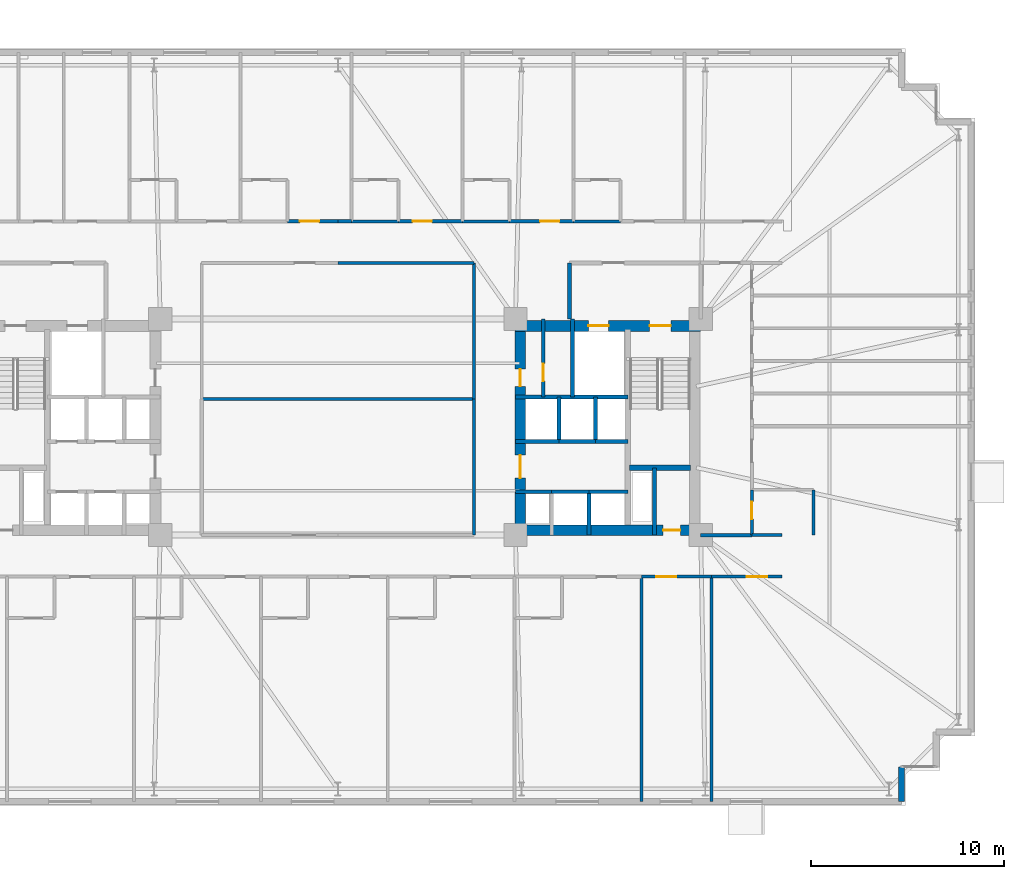
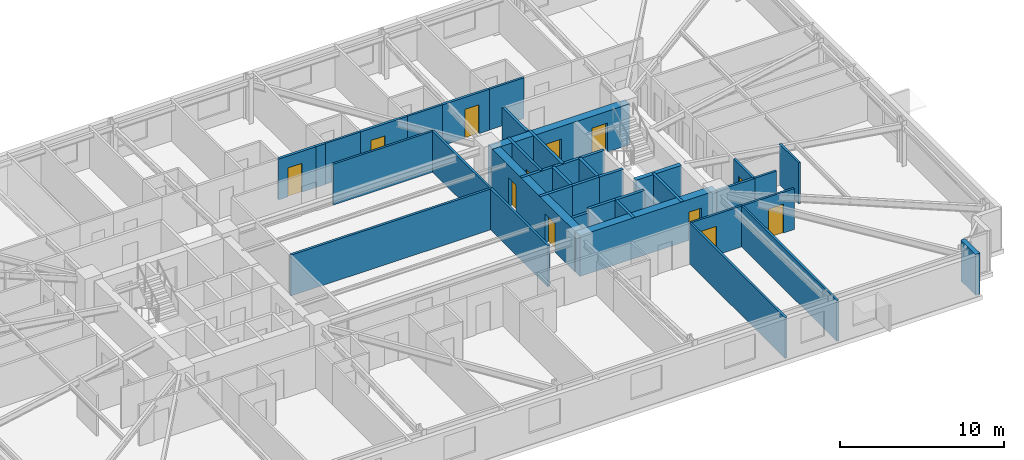
# One storey, part 17 of 22: 38 walls, 12 doors, 12 openings.
"""IFC4 building model written with IfcOpenShell, lengths in metres."""

from ifc_helpers import new_model, si_unit, direction, frame, frame_2d, origin, place, context, subcontext, project, spatial, rectangle, extrude, material, layer, layer_set, type_object, element, fill, save


model = new_model("IFC4")

# Units and contexts
model_context = context("Model", 3, precision=1e-05, world=origin(), true_north=direction((0.0, 1.0)))
body_context = subcontext(model_context, "Body", "Model", "MODEL_VIEW")
ifc_project = project(units=[si_unit("LENGTHUNIT", "METRE"), si_unit("AREAUNIT", "SQUARE_METRE"), si_unit("VOLUMEUNIT", "CUBIC_METRE"), si_unit("PLANEANGLEUNIT", "RADIAN"), si_unit("MASSUNIT", "GRAM", prefix="KILO")], contexts=[model_context])

# Site, building, storey
site_placement = place(None, origin())
site = spatial("IfcSite", under=ifc_project, at=site_placement, CompositionType="ELEMENT")
building_placement = place(site_placement, origin())
building = spatial("IfcBuilding", under=site, at=building_placement, Name="Qobustan Lattice House", CompositionType="ELEMENT")
storey_placement = place(building_placement, frame((0.0, 0.0, 53.800048828125)))
storey = spatial("IfcBuildingStorey", under=building, at=storey_placement, Name="L14", CompositionType="ELEMENT", Elevation=53.800048828125)

# Wall, openings, doors
ifc_material_1 = material(Name="Concrete C60/75", Category="concrete")
ifc_layer_1 = layer(ifc_material_1, 0.56005859375)
ifc_layer_set_1 = layer_set([ifc_layer_1], Name="Concrete C60/75")
wall_type_1 = type_object("IfcWallType", Name="WAL-CORE-600", PredefinedType="SHEAR", material=ifc_layer_set_1)
wall_1_placement = place(storey_placement, frame((9.199951171875, 5.239990234375, 0.0), z_axis=(0.0, 0.0, 1.0), x_axis=(1.0, 0.0, 0.0)))
wall_1 = element("IfcWall", 1, at=wall_1_placement, inside=storey, type_object=wall_type_1, Name="L14 split-core shear wall CE-N", PredefinedType="SHEAR", context=body_context, shape_type="SweptSolid", body=[
    extrude(rectangle(XDim=9.60009765625, YDim=0.56005859375, at=frame_2d((4.800048828125, 0.0))), origin(), (0.0, 0.0, 1.0), 3.034912109375),
])
opening_1_placement = place(wall_1_placement, frame((6.949951171875, 0.0, 0.0)))
opening_1 = element("IfcOpeningElement", 2, at=opening_1_placement, cuts=wall_1, Name="Opening SD-01", PredefinedType="OPENING", context=body_context, shape_type="SweptSolid", body=[
    extrude(rectangle(XDim=1.10009765625, YDim=2.14990234375, at=frame_2d((0.550048828125, 1.074951171875))), frame((0.0, 0.2900390625, 0.0), z_axis=(0.0, -1.0, 0.0), x_axis=(1.0, 0.0, 0.0)), (0.0, 0.0, 1.0), 0.580078125),
])
opening_2_placement = place(wall_1_placement, frame((3.77490234375, 0.0, 0.0)))
opening_2 = element("IfcOpeningElement", 3, at=opening_2_placement, cuts=wall_1, Name="Opening LD-01", PredefinedType="OPENING", context=body_context, shape_type="SweptSolid", body=[
    extrude(rectangle(XDim=1.050048828125, YDim=2.10009765625, at=frame_2d((0.52490234375, 1.050048828125))), frame((0.0, 0.2900390625, 0.0), z_axis=(0.0, -1.0, 0.0), x_axis=(1.0, 0.0, 0.0)), (0.0, 0.0, 1.0), 0.580078125),
])
ifc_material_2 = material(Name="Persian walnut timber and steel frame door", Category="steel")
door_type_1 = type_object("IfcDoorType", Name="DOR-LIFT-LD-1050x2100", OperationType="NOTDEFINED", PredefinedType="DOOR", material=ifc_material_2)
door_1_placement = place(opening_2_placement, origin())
door_1 = element("IfcDoor", 4, at=door_1_placement, inside=storey, type_object=door_type_1, Name="L14 firefighting lift FF-E landing door", OperationType="DOUBLE_DOOR_SLIDING", OverallHeight=2.10009765625, OverallWidth=1.050048828125, PredefinedType="DOOR", context=body_context, shape_type="SweptSolid", body=[
    extrude(rectangle(XDim=1.050048828125, YDim=2.10009765625, at=frame_2d((0.52490234375, 1.050048828125))), frame((0.0, 0.02490234375, 0.0), z_axis=(0.0, -1.0, 0.0), x_axis=(1.0, 0.0, 0.0)), (0.0, 0.0, 1.0), 0.050048828125),
])
fill(opening_2, door_1)
ifc_material_3 = material(Name="Persian walnut timber and steel frame door", Category="steel")
door_type_2 = type_object("IfcDoorType", Name="DOR-STAIR-FD-1100x2150", OperationType="NOTDEFINED", PredefinedType="DOOR", material=ifc_material_3)
door_2_placement = place(opening_1_placement, origin())
door_2 = element("IfcDoor", 5, at=door_2_placement, inside=storey, type_object=door_type_2, Name="L14 exit stair ST-E1 fire door", OperationType="SINGLE_SWING_LEFT", OverallHeight=2.14990234375, OverallWidth=1.10009765625, PredefinedType="DOOR", context=body_context, shape_type="SweptSolid", body=[
    extrude(rectangle(XDim=1.10009765625, YDim=2.14990234375, at=frame_2d((0.550048828125, 1.074951171875))), frame((0.0, 0.02490234375, 0.0), z_axis=(0.0, -1.0, 0.0), x_axis=(1.0, 0.0, 0.0)), (0.0, 0.0, 1.0), 0.050048828125),
])
fill(opening_1, door_2)

# Wall, opening, door
wall_2_placement = place(storey_placement, frame((9.199951171875, -5.35009765625, 0.0), z_axis=(0.0, 0.0, 1.0), x_axis=(1.0, 0.0, 0.0)))
wall_2 = element("IfcWall", 6, at=wall_2_placement, inside=storey, type_object=wall_type_1, Name="L14 split-core shear wall CE-S", PredefinedType="SHEAR", context=body_context, shape_type="SweptSolid", body=[
    extrude(rectangle(XDim=9.60009765625, YDim=0.56005859375, at=frame_2d((4.800048828125, 0.0))), origin(), (0.0, 0.0, 1.0), 3.034912109375),
])
opening_3_placement = place(wall_2_placement, frame((7.64990234375, 0.0, 0.0)))
opening_3 = element("IfcOpeningElement", 7, at=opening_3_placement, cuts=wall_2, Name="Opening RD-01", PredefinedType="OPENING", context=body_context, shape_type="SweptSolid", body=[
    extrude(rectangle(XDim=0.89990234375, YDim=2.10009765625, at=frame_2d((0.449951171875, 1.050048828125))), frame((0.0, 0.2900390625, 0.0), z_axis=(0.0, -1.0, 0.0), x_axis=(1.0, 0.0, 0.0)), (0.0, 0.0, 1.0), 0.580078125),
])
ifc_material_4 = material(Name="Persian walnut timber and steel frame door", Category="steel")
door_type_3 = type_object("IfcDoorType", Name="DOR-RISER-FD-900x2100", OperationType="NOTDEFINED", PredefinedType="DOOR", material=ifc_material_4)
door_3_placement = place(opening_3_placement, origin())
door_3 = element("IfcDoor", 8, at=door_3_placement, inside=storey, type_object=door_type_3, Name="L14 core service riser access door E", OperationType="SINGLE_SWING_LEFT", OverallHeight=2.10009765625, OverallWidth=0.89990234375, PredefinedType="DOOR", context=body_context, shape_type="SweptSolid", body=[
    extrude(rectangle(XDim=0.89990234375, YDim=2.10009765625, at=frame_2d((0.449951171875, 1.050048828125))), frame((0.0, 0.02490234375, 0.0), z_axis=(0.0, -1.0, 0.0), x_axis=(1.0, 0.0, 0.0)), (0.0, 0.0, 1.0), 0.050048828125),
])
fill(opening_3, door_3)

# Wall, openings, doors
wall_3_placement = place(storey_placement, frame((9.449951171875, -5.050048828125, 0.0), z_axis=(0.0, 0.0, 1.0), x_axis=(0.0, 1.0, 0.0)))
wall_3 = element("IfcWall", 9, at=wall_3_placement, inside=storey, type_object=wall_type_1, Name="L14 split-core shear wall CE-W", PredefinedType="SHEAR", context=body_context, shape_type="SweptSolid", body=[
    extrude(rectangle(XDim=10.10009765625, YDim=0.56005859375, at=frame_2d((5.050048828125, 0.0))), origin(), (0.0, 0.0, 1.0), 3.034912109375),
])
opening_4_placement = place(wall_3_placement, frame((7.14990234375, 0.0, 0.0)))
opening_4 = element("IfcOpeningElement", 10, at=opening_4_placement, cuts=wall_3, Name="Opening RD-01", PredefinedType="OPENING", context=body_context, shape_type="SweptSolid", body=[
    extrude(rectangle(XDim=0.89990234375, YDim=2.10009765625, at=frame_2d((0.449951171875, 1.050048828125))), frame((0.0, 0.2900390625, 0.0), z_axis=(0.0, -1.0, 0.0), x_axis=(1.0, 0.0, 0.0)), (0.0, 0.0, 1.0), 0.580078125),
])
opening_5_placement = place(wall_3_placement, frame((2.39990234375, 0.0, 0.0)))
opening_5 = element("IfcOpeningElement", 11, at=opening_5_placement, cuts=wall_3, Name="Opening FD-01", PredefinedType="OPENING", context=body_context, shape_type="SweptSolid", body=[
    extrude(rectangle(XDim=1.199951171875, YDim=2.14990234375, at=frame_2d((0.60009765625, 1.074951171875))), frame((0.0, 0.2900390625, 0.0), z_axis=(0.0, -1.0, 0.0), x_axis=(1.0, 0.0, 0.0)), (0.0, 0.0, 1.0), 0.580078125),
])
ifc_material_5 = material(Name="Persian walnut timber and steel frame door", Category="steel")
door_type_4 = type_object("IfcDoorType", Name="DOR-LOBBY-FD-1200x2150", OperationType="NOTDEFINED", PredefinedType="DOOR", material=ifc_material_5)
door_4_placement = place(opening_5_placement, origin())
door_4 = element("IfcDoor", 12, at=door_4_placement, inside=storey, type_object=door_type_4, Name="L14 East passenger lift lobby fire door", OperationType="SINGLE_SWING_RIGHT", OverallHeight=2.14990234375, OverallWidth=1.199951171875, PredefinedType="DOOR", context=body_context, shape_type="SweptSolid", body=[
    extrude(rectangle(XDim=1.199951171875, YDim=2.14990234375, at=frame_2d((0.60009765625, 1.074951171875))), frame((0.0, 0.02490234375, 0.0), z_axis=(0.0, -1.0, 0.0), x_axis=(1.0, 0.0, 0.0)), (0.0, 0.0, 1.0), 0.050048828125),
])
fill(opening_5, door_4)
door_5_placement = place(opening_4_placement, origin())
door_5 = element("IfcDoor", 13, at=door_5_placement, inside=storey, type_object=door_type_3, Name="L14 Print and mail closet fire door", OperationType="SINGLE_SWING_LEFT", OverallHeight=2.10009765625, OverallWidth=0.89990234375, PredefinedType="DOOR", context=body_context, shape_type="SweptSolid", body=[
    extrude(rectangle(XDim=0.89990234375, YDim=2.10009765625, at=frame_2d((0.449951171875, 1.050048828125))), frame((0.0, 0.02490234375, 0.0), z_axis=(0.0, -1.0, 0.0), x_axis=(1.0, 0.0, 0.0)), (0.0, 0.0, 1.0), 0.050048828125),
])
fill(opening_4, door_5)

# Walls
ifc_material_6 = material(Name="Concrete C50/60", Category="concrete")
ifc_layer_2 = layer(ifc_material_6, 0.280029296875)
ifc_layer_set_2 = layer_set([ifc_layer_2], Name="Concrete C50/60")
wall_type_2 = type_object("IfcWallType", Name="WAL-CORE-SPINE-280", PredefinedType="SHEAR", material=ifc_layer_set_2)
wall_4_placement = place(storey_placement, frame((15.10009765625, -2.110107421875, 0.0), z_axis=(0.0, 0.0, 1.0), x_axis=(1.0, 0.0, 0.0)))
element("IfcWall", 14, at=wall_4_placement, inside=storey, type_object=wall_type_2, Name="L14 split-core shear wall CE-ST", PredefinedType="SHEAR", context=body_context, shape_type="SweptSolid", body=[
    extrude(rectangle(XDim=3.179931640625, YDim=0.300048828125, at=frame_2d((1.58984375, 0.0))), origin(), (0.0, 0.0, 1.0), 3.034912109375),
])
ifc_material_7 = material(Name="Precast concrete C40/50", Category="concrete")
ifc_layer_3 = layer(ifc_material_7, 0.320068359375)
ifc_layer_set_3 = layer_set([ifc_layer_3], Name="Precast concrete C40/50")
wall_type_3 = type_object("IfcWallType", Name="WAL-EXT-STONE-320", PredefinedType="SOLIDWALL", material=ifc_layer_set_3)
wall_5_placement = place(storey_placement, frame((29.199951171875, -17.60009765625, 0.0), z_axis=(0.0, 0.0, 1.0), x_axis=(0.0, -1.0, 0.0)))
element("IfcWall", 15, at=wall_5_placement, inside=storey, type_object=wall_type_3, Name="L14 exterior limestone-clad wall 19", PredefinedType="SOLIDWALL", context=body_context, shape_type="SweptSolid", body=[
    extrude(rectangle(XDim=1.7998046875, YDim=0.320068359375, at=frame_2d((0.89990234375, 0.0))), origin(), (0.0, 0.0, 1.0), 3.034912109375),
])

# Wall, opening, door
ifc_material_8 = material(Name="Gypsum fireboard acoustic partition", Category="gypsum")
ifc_layer_4 = layer(ifc_material_8, 0.179931640625)
ifc_layer_set_4 = layer_set([ifc_layer_4], Name="Gypsum fireboard acoustic partition")
wall_type_4 = type_object("IfcWallType", Name="WAL-FIRE-180", PredefinedType="PARTITIONING", material=ifc_layer_set_4)
wall_6_placement = place(storey_placement, frame((10.64990234375, 1.550048828125, 0.0), z_axis=(0.0, 0.0, 1.0), x_axis=(0.0, 1.0, 0.0)))
wall_6 = element("IfcWall", 16, at=wall_6_placement, inside=storey, type_object=wall_type_4, Name="L14 interior partition 23", PredefinedType="PARTITIONING", context=body_context, shape_type="SweptSolid", body=[
    extrude(rectangle(XDim=4.050048828125, YDim=0.179931640625, at=frame_2d((2.02490234375, 0.0))), origin(), (0.0, 0.0, 1.0), 3.034912109375),
])
opening_6_placement = place(wall_6_placement, frame((0.828857421875, 0.0, 0.0)))
opening_6 = element("IfcOpeningElement", 17, at=opening_6_placement, cuts=wall_6, Name="Opening RD-01", PredefinedType="OPENING", context=body_context, shape_type="SweptSolid", body=[
    extrude(rectangle(XDim=0.89990234375, YDim=2.10009765625, at=frame_2d((0.449951171875, 1.050048828125))), frame((0.0, 0.099853515625, 0.0), z_axis=(0.0, -1.0, 0.0), x_axis=(1.0, 0.0, 0.0)), (0.0, 0.0, 1.0), 0.199951171875),
])
door_6_placement = place(opening_6_placement, origin())
door_6 = element("IfcDoor", 18, at=door_6_placement, inside=storey, type_object=door_type_3, Name="L14 Print and mail closet to Core utility store door", OperationType="SINGLE_SWING_RIGHT", OverallHeight=2.10009765625, OverallWidth=0.89990234375, PredefinedType="DOOR", context=body_context, shape_type="SweptSolid", body=[
    extrude(rectangle(XDim=0.89990234375, YDim=2.10009765625, at=frame_2d((0.449951171875, 1.050048828125))), frame((0.0, 0.02490234375, 0.0), z_axis=(0.0, -1.0, 0.0), x_axis=(1.0, 0.0, 0.0)), (0.0, 0.0, 1.0), 0.050048828125),
])
fill(opening_6, door_6)

wall_7_placement = place(storey_placement, frame((-2.60009765625, 10.64990234375, 0.0), z_axis=(0.0, 0.0, 1.0), x_axis=(1.0, 0.0, 0.0)))
wall_7 = element("IfcWall", 19, at=wall_7_placement, inside=storey, type_object=wall_type_4, Name="L14 interior partition 43", PredefinedType="PARTITIONING", context=body_context, shape_type="SweptSolid", body=[
    extrude(rectangle(XDim=2.60009765625, YDim=0.179931640625, at=frame_2d((1.300048828125, 0.0))), origin(), (0.0, 0.0, 1.0), 3.034912109375),
])
opening_7_placement = place(wall_7_placement, frame((0.635009765625, 0.0, 0.0)))
opening_7 = element("IfcOpeningElement", 20, at=opening_7_placement, cuts=wall_7, Name="Opening FD-02", PredefinedType="OPENING", context=body_context, shape_type="SweptSolid", body=[
    extrude(rectangle(XDim=1.0, YDim=2.14990234375, at=frame_2d((0.5, 1.074951171875))), frame((0.0, 0.099853515625, 0.0), z_axis=(0.0, -1.0, 0.0), x_axis=(1.0, 0.0, 0.0)), (0.0, 0.0, 1.0), 0.199951171875),
])
ifc_material_9 = material(Name="Persian walnut timber and steel frame door", Category="steel")
door_type_5 = type_object("IfcDoorType", Name="DOR-UNIT-FD-1000x2150", OperationType="NOTDEFINED", PredefinedType="DOOR", material=ifc_material_9)
door_7_placement = place(opening_7_placement, origin())
door_7 = element("IfcDoor", 21, at=door_7_placement, inside=storey, type_object=door_type_5, Name="L14 North-west floor corridor to Kitchenette and studio apartment L14-N4 door", OperationType="SINGLE_SWING_RIGHT", OverallHeight=2.14990234375, OverallWidth=1.0, PredefinedType="DOOR", context=body_context, shape_type="SweptSolid", body=[
    extrude(rectangle(XDim=1.0, YDim=2.14990234375, at=frame_2d((0.5, 1.074951171875))), frame((0.0, 0.02490234375, 0.0), z_axis=(0.0, -1.0, 0.0), x_axis=(1.0, 0.0, 0.0)), (0.0, 0.0, 1.0), 0.050048828125),
])
fill(opening_7, door_7)

# Wall
wall_8_placement = place(storey_placement, frame((0.0, 10.64990234375, 0.0), z_axis=(0.0, 0.0, 1.0), x_axis=(1.0, 0.0, 0.0)))
element("IfcWall", 22, at=wall_8_placement, inside=storey, type_object=wall_type_4, Name="L14 interior partition 48", PredefinedType="PARTITIONING", context=body_context, shape_type="SweptSolid", body=[
    extrude(rectangle(XDim=0.699951171875, YDim=0.179931640625, at=frame_2d((0.35009765625, 0.0))), origin(), (0.0, 0.0, 1.0), 3.034912109375),
])

# Wall, opening, door
wall_9_placement = place(storey_placement, frame((3.14990234375, 10.64990234375, 0.0), z_axis=(0.0, 0.0, 1.0), x_axis=(1.0, 0.0, 0.0)))
wall_9 = element("IfcWall", 23, at=wall_9_placement, inside=storey, type_object=wall_type_4, Name="L14 interior partition 49", PredefinedType="PARTITIONING", context=body_context, shape_type="SweptSolid", body=[
    extrude(rectangle(XDim=3.300048828125, YDim=0.179931640625, at=frame_2d((1.64990234375, 0.0))), origin(), (0.0, 0.0, 1.0), 3.034912109375),
])
opening_8_placement = place(wall_9_placement, frame((0.722412109375, 0.0, 0.0)))
opening_8 = element("IfcOpeningElement", 24, at=opening_8_placement, cuts=wall_9, Name="Opening FD-02", PredefinedType="OPENING", context=body_context, shape_type="SweptSolid", body=[
    extrude(rectangle(XDim=1.0, YDim=2.14990234375, at=frame_2d((0.5, 1.074951171875))), frame((0.0, 0.099853515625, 0.0), z_axis=(0.0, -1.0, 0.0), x_axis=(1.0, 0.0, 0.0)), (0.0, 0.0, 1.0), 0.199951171875),
])
door_8_placement = place(opening_8_placement, origin())
door_8 = element("IfcDoor", 25, at=door_8_placement, inside=storey, type_object=door_type_5, Name="L14 North-east floor corridor to Kitchenette and studio apartment L14-N5 door", OperationType="SINGLE_SWING_LEFT", OverallHeight=2.14990234375, OverallWidth=1.0, PredefinedType="DOOR", context=body_context, shape_type="SweptSolid", body=[
    extrude(rectangle(XDim=1.0, YDim=2.14990234375, at=frame_2d((0.5, 1.074951171875))), frame((0.0, 0.02490234375, 0.0), z_axis=(0.0, -1.0, 0.0), x_axis=(1.0, 0.0, 0.0)), (0.0, 0.0, 1.0), 0.050048828125),
])
fill(opening_8, door_8)

wall_10_placement = place(storey_placement, frame((8.89990234375, 10.64990234375, 0.0), z_axis=(0.0, 0.0, 1.0), x_axis=(1.0, 0.0, 0.0)))
wall_10 = element("IfcWall", 26, at=wall_10_placement, inside=storey, type_object=wall_type_4, Name="L14 interior partition 51", PredefinedType="PARTITIONING", context=body_context, shape_type="SweptSolid", body=[
    extrude(rectangle(XDim=3.300048828125, YDim=0.179931640625, at=frame_2d((1.64990234375, 0.0))), origin(), (0.0, 0.0, 1.0), 3.034912109375),
])
opening_9_placement = place(wall_10_placement, frame((1.577392578125, 0.0, 0.0)))
opening_9 = element("IfcOpeningElement", 27, at=opening_9_placement, cuts=wall_10, Name="Opening FD-02", PredefinedType="OPENING", context=body_context, shape_type="SweptSolid", body=[
    extrude(rectangle(XDim=1.0, YDim=2.14990234375, at=frame_2d((0.5, 1.074951171875))), frame((0.0, 0.099853515625, 0.0), z_axis=(0.0, -1.0, 0.0), x_axis=(1.0, 0.0, 0.0)), (0.0, 0.0, 1.0), 0.199951171875),
])
door_9_placement = place(opening_9_placement, origin())
door_9 = element("IfcDoor", 28, at=door_9_placement, inside=storey, type_object=door_type_5, Name="L14 North-east floor corridor to Kitchenette and studio apartment L14-N6 door", OperationType="SINGLE_SWING_RIGHT", OverallHeight=2.14990234375, OverallWidth=1.0, PredefinedType="DOOR", context=body_context, shape_type="SweptSolid", body=[
    extrude(rectangle(XDim=1.0, YDim=2.14990234375, at=frame_2d((0.5, 1.074951171875))), frame((0.0, 0.02490234375, 0.0), z_axis=(0.0, -1.0, 0.0), x_axis=(1.0, 0.0, 0.0)), (0.0, 0.0, 1.0), 0.050048828125),
])
fill(opening_9, door_9)

# Walls
wall_11_placement = place(storey_placement, frame((18.800048828125, -5.60009765625, 0.0), z_axis=(0.0, 0.0, 1.0), x_axis=(1.0, 0.0, 0.0)))
element("IfcWall", 29, at=wall_11_placement, inside=storey, type_object=wall_type_4, Name="L14 interior partition 67", PredefinedType="PARTITIONING", context=body_context, shape_type="SweptSolid", body=[
    extrude(rectangle(XDim=2.64990234375, YDim=0.179931640625, at=frame_2d((1.324951171875, 0.0))), origin(), (0.0, 0.0, 1.0), 3.034912109375),
])
ifc_material_10 = material(Name="Acoustic twin-stud gypsum partition", Category="gypsum")
ifc_layer_5 = layer(ifc_material_10, 0.14990234375)
ifc_layer_set_5 = layer_set([ifc_layer_5], Name="Acoustic twin-stud gypsum partition")
wall_type_5 = type_object("IfcWallType", Name="WAL-PART-150", PredefinedType="PARTITIONING", material=ifc_layer_set_5)
wall_12_placement = place(storey_placement, frame((7.050048828125, 8.5, 0.0), z_axis=(0.0, 0.0, 1.0), x_axis=(-1.0, 0.0, 0.0)))
element("IfcWall", 30, at=wall_12_placement, inside=storey, type_object=wall_type_5, Name="L14 interior partition 56", PredefinedType="PARTITIONING", context=body_context, shape_type="SweptSolid", body=[
    extrude(rectangle(XDim=7.050048828125, YDim=0.14990234375, at=frame_2d((3.52490234375, 0.0))), origin(), (0.0, 0.0, 1.0), 3.034912109375),
])

# Wall, opening, door
wall_13_placement = place(storey_placement, frame((19.364501953125, -7.75, 0.0), z_axis=(0.0, 0.0, 1.0), x_axis=(-1.0, 0.0, 0.0)))
wall_13 = element("IfcWall", 31, at=wall_13_placement, inside=storey, type_object=wall_type_5, Name="L14 interior partition 74", PredefinedType="PARTITIONING", context=body_context, shape_type="SweptSolid", body=[
    extrude(rectangle(XDim=3.635498046875, YDim=0.14990234375, at=frame_2d((1.81787109375, 0.0))), origin(), (0.0, 0.0, 1.0), 3.034912109375),
])
opening_10_placement = place(wall_13_placement, frame((1.827392578125, 0.0, 0.0)))
opening_10 = element("IfcOpeningElement", 32, at=opening_10_placement, cuts=wall_13, Name="Opening ID-02", PredefinedType="OPENING", context=body_context, shape_type="SweptSolid", body=[
    extrude(rectangle(XDim=1.050048828125, YDim=2.14990234375, at=frame_2d((0.52490234375, 1.074951171875))), frame((0.0, 0.0849609375, 0.0), z_axis=(0.0, -1.0, 0.0), x_axis=(1.0, 0.0, 0.0)), (0.0, 0.0, 1.0), 0.169921875),
])
ifc_material_11 = material(Name="Persian walnut timber and steel frame door", Category="steel")
door_type_6 = type_object("IfcDoorType", Name="DOR-STUDY-1050x2150", OperationType="NOTDEFINED", PredefinedType="DOOR", material=ifc_material_11)
door_10_placement = place(opening_10_placement, origin())
door_10 = element("IfcDoor", 33, at=door_10_placement, inside=storey, type_object=door_type_6, Name="L14 South-east floor corridor to Group study room door", OperationType="SINGLE_SWING_RIGHT", OverallHeight=2.14990234375, OverallWidth=1.050048828125, PredefinedType="DOOR", context=body_context, shape_type="SweptSolid", body=[
    extrude(rectangle(XDim=1.050048828125, YDim=2.14990234375, at=frame_2d((0.52490234375, 1.074951171875))), frame((0.0, 0.02490234375, 0.0), z_axis=(0.0, -1.0, 0.0), x_axis=(1.0, 0.0, 0.0)), (0.0, 0.0, 1.0), 0.050048828125),
])
fill(opening_10, door_10)

wall_14_placement = place(storey_placement, frame((23.0, -7.75, 0.0), z_axis=(0.0, 0.0, 1.0), x_axis=(-1.0, 0.0, 0.0)))
wall_14 = element("IfcWall", 34, at=wall_14_placement, inside=storey, type_object=wall_type_5, Name="L14 interior partition 75", PredefinedType="PARTITIONING", context=body_context, shape_type="SweptSolid", body=[
    extrude(rectangle(XDim=3.635498046875, YDim=0.14990234375, at=frame_2d((1.81787109375, 0.0))), origin(), (0.0, 0.0, 1.0), 3.034912109375),
])
opening_11_placement = place(wall_14_placement, frame((0.75830078125, 0.0, 0.0)))
opening_11 = element("IfcOpeningElement", 35, at=opening_11_placement, cuts=wall_14, Name="Opening ID-02", PredefinedType="OPENING", context=body_context, shape_type="SweptSolid", body=[
    extrude(rectangle(XDim=1.050048828125, YDim=2.14990234375, at=frame_2d((0.52490234375, 1.074951171875))), frame((0.0, 0.0849609375, 0.0), z_axis=(0.0, -1.0, 0.0), x_axis=(1.0, 0.0, 0.0)), (0.0, 0.0, 1.0), 0.169921875),
])
door_11_placement = place(opening_11_placement, origin())
door_11 = element("IfcDoor", 36, at=door_11_placement, inside=storey, type_object=door_type_6, Name="L14 South-east floor corridor to Academic seminar room door", OperationType="SINGLE_SWING_LEFT", OverallHeight=2.14990234375, OverallWidth=1.050048828125, PredefinedType="DOOR", context=body_context, shape_type="SweptSolid", body=[
    extrude(rectangle(XDim=1.050048828125, YDim=2.14990234375, at=frame_2d((0.52490234375, 1.074951171875))), frame((0.0, 0.02490234375, 0.0), z_axis=(0.0, -1.0, 0.0), x_axis=(1.0, 0.0, 0.0)), (0.0, 0.0, 1.0), 0.050048828125),
])
fill(opening_11, door_11)

# Walls
wall_15_placement = place(storey_placement, frame((7.050048828125, 1.449951171875, 0.0), z_axis=(0.0, 0.0, 1.0), x_axis=(0.0, 1.0, 0.0)))
element("IfcWall", 37, at=wall_15_placement, inside=storey, type_object=wall_type_5, Name="L14 interior partition 80", PredefinedType="PARTITIONING", context=body_context, shape_type="SweptSolid", body=[
    extrude(rectangle(XDim=7.050048828125, YDim=0.14990234375, at=frame_2d((3.52490234375, 0.0))), origin(), (0.0, 0.0, 1.0), 3.034912109375),
])
for number, where, z_axis, x_axis, name in (
    (38, (15.72900390625, -7.75, 0.0), (0.0, 0.0, 1.0), (0.0, -1.0, 0.0), "L14 interior partition 152"),
    (39, (19.364501953125, -7.75, 0.0), (0.0, 0.0, 1.0), (0.0, -1.0, 0.0), "L14 interior partition 153"),
):
    element("IfcWall", number, at=place(storey_placement, frame(where, z_axis=z_axis, x_axis=x_axis)), inside=storey, type_object=wall_type_5, Name=name, PredefinedType="PARTITIONING", context=body_context, shape_type="SweptSolid", body=[
        extrude(rectangle(XDim=11.64990234375, YDim=0.14990234375, at=frame_2d((5.824951171875, 0.0))), origin(), (0.0, 0.0, 1.0), 3.034912109375),
    ])
ifc_material_12 = material(Name="High-mass acoustic twin-stud partition", Category="gypsum")
ifc_layer_6 = layer(ifc_material_12, 0.1650390625)
ifc_layer_set_6 = layer_set([ifc_layer_6], Name="High-mass acoustic twin-stud partition")
wall_type_6 = type_object("IfcWallType", Name="WAL-PART-165", PredefinedType="PARTITIONING", material=ifc_layer_set_6)
wall_16_placement = place(storey_placement, frame((7.050048828125, -5.60009765625, 0.0), z_axis=(0.0, 0.0, 1.0), x_axis=(0.0, 1.0, 0.0)))
element("IfcWall", 40, at=wall_16_placement, inside=storey, type_object=wall_type_6, Name="L14 interior partition 79", PredefinedType="PARTITIONING", context=body_context, shape_type="SweptSolid", body=[
    extrude(rectangle(XDim=7.050048828125, YDim=0.1650390625, at=frame_2d((3.52490234375, 0.0))), origin(), (0.0, 0.0, 1.0), 3.034912109375),
])
wall_17_placement = place(storey_placement, frame((-7.050048828125, 1.449951171875, 0.0), z_axis=(0.0, 0.0, 1.0), x_axis=(1.0, 0.0, 0.0)))
element("IfcWall", 41, at=wall_17_placement, inside=storey, type_object=wall_type_6, Name="L14 interior partition 154", PredefinedType="PARTITIONING", context=body_context, shape_type="SweptSolid", body=[
    extrude(rectangle(XDim=14.10009765625, YDim=0.1650390625, at=frame_2d((7.050048828125, 0.0))), origin(), (0.0, 0.0, 1.0), 3.034912109375),
])
ifc_material_13 = material(Name="Two-hour gypsum fireboard acoustic partition", Category="gypsum")
ifc_layer_7 = layer(ifc_material_13, 0.199951171875)
ifc_layer_set_7 = layer_set([ifc_layer_7], Name="Two-hour gypsum fireboard acoustic partition")
wall_type_7 = type_object("IfcWallType", Name="WAL-PROT-200", PredefinedType="PARTITIONING", material=ifc_layer_set_7)
wall_18_placement = place(storey_placement, frame((12.0, 8.5, 0.0), z_axis=(0.0, 0.0, 1.0), x_axis=(0.0, -1.0, 0.0)))
element("IfcWall", 42, at=wall_18_placement, inside=storey, type_object=wall_type_7, Name="L14 interior partition 21", PredefinedType="PARTITIONING", context=body_context, shape_type="SweptSolid", body=[
    extrude(rectangle(XDim=2.89990234375, YDim=0.199951171875, at=frame_2d((1.449951171875, 0.0))), origin(), (0.0, 0.0, 1.0), 3.034912109375),
])
ifc_material_14 = material(Name="Concrete C40/50", Category="concrete")
ifc_layer_8 = layer(ifc_material_14, 0.199951171875)
ifc_layer_set_8 = layer_set([ifc_layer_8], Name="Concrete C40/50")
wall_type_8 = type_object("IfcWallType", Name="WAL-SHAFT-200", PredefinedType="PARTITIONING", material=ifc_layer_set_8)
wall_19_placement = place(storey_placement, frame((16.39990234375, -2.110107421875, 0.0), z_axis=(0.0, 0.0, 1.0), x_axis=(0.0, -1.0, 0.0)))
element("IfcWall", 43, at=wall_19_placement, inside=storey, type_object=wall_type_8, Name="L14 interior partition 18", PredefinedType="PARTITIONING", context=body_context, shape_type="SweptSolid", body=[
    extrude(rectangle(XDim=3.489990234375, YDim=0.199951171875, at=frame_2d((1.7451171875, 0.0))), origin(), (0.0, 0.0, 1.0), 3.034912109375),
])
wall_20_placement = place(storey_placement, frame((12.14990234375, 5.60009765625, 0.0), z_axis=(0.0, 0.0, 1.0), x_axis=(0.0, -1.0, 0.0)))
element("IfcWall", 44, at=wall_20_placement, inside=storey, type_object=wall_type_8, Name="L14 interior partition 19", PredefinedType="PARTITIONING", context=body_context, shape_type="SweptSolid", body=[
    extrude(rectangle(XDim=4.050048828125, YDim=0.199951171875, at=frame_2d((2.02490234375, 0.0))), origin(), (0.0, 0.0, 1.0), 3.034912109375),
])
wall_21_placement = place(storey_placement, frame((9.199951171875, -3.35009765625, 0.0), z_axis=(0.0, 0.0, 1.0), x_axis=(1.0, 0.0, 0.0)))
element("IfcWall", 45, at=wall_21_placement, inside=storey, type_object=wall_type_8, Name="L14 interior partition 25", PredefinedType="PARTITIONING", context=body_context, shape_type="SweptSolid", body=[
    extrude(rectangle(XDim=1.880126953125, YDim=0.199951171875, at=frame_2d((0.93994140625, 0.0))), origin(), (0.0, 0.0, 1.0), 2.75),
])
wall_22_placement = place(storey_placement, frame((11.080078125, -3.35009765625, 0.0), z_axis=(0.0, 0.0, 1.0), x_axis=(1.0, 0.0, 0.0)))
element("IfcWall", 46, at=wall_22_placement, inside=storey, type_object=wall_type_8, Name="L14 interior partition 26", PredefinedType="PARTITIONING", context=body_context, shape_type="SweptSolid", body=[
    extrude(rectangle(XDim=1.93994140625, YDim=0.199951171875, at=frame_2d((0.969970703125, 0.0))), origin(), (0.0, 0.0, 1.0), 3.034912109375),
])
wall_23_placement = place(storey_placement, frame((13.02001953125, -3.35009765625, 0.0), z_axis=(0.0, 0.0, 1.0), x_axis=(1.0, 0.0, 0.0)))
element("IfcWall", 47, at=wall_23_placement, inside=storey, type_object=wall_type_8, Name="L14 interior partition 27", PredefinedType="PARTITIONING", context=body_context, shape_type="SweptSolid", body=[
    extrude(rectangle(XDim=2.0, YDim=0.199951171875, at=frame_2d((1.0, 0.0))), origin(), (0.0, 0.0, 1.0), 3.034912109375),
])
wall_24_placement = place(storey_placement, frame((11.4599609375, -0.75, 0.0), z_axis=(0.0, 0.0, 1.0), x_axis=(-1.0, 0.0, 0.0)))
element("IfcWall", 48, at=wall_24_placement, inside=storey, type_object=wall_type_8, Name="L14 interior partition 28", PredefinedType="PARTITIONING", context=body_context, shape_type="SweptSolid", body=[
    extrude(rectangle(XDim=2.260009765625, YDim=0.199951171875, at=frame_2d((1.1298828125, 0.0))), origin(), (0.0, 0.0, 1.0), 3.034912109375),
])
wall_25_placement = place(storey_placement, frame((13.340087890625, -0.75, 0.0), z_axis=(0.0, 0.0, 1.0), x_axis=(-1.0, 0.0, 0.0)))
element("IfcWall", 49, at=wall_25_placement, inside=storey, type_object=wall_type_8, Name="L14 interior partition 29", PredefinedType="PARTITIONING", context=body_context, shape_type="SweptSolid", body=[
    extrude(rectangle(XDim=1.880126953125, YDim=0.199951171875, at=frame_2d((0.93994140625, 0.0))), origin(), (0.0, 0.0, 1.0), 3.034912109375),
])
wall_26_placement = place(storey_placement, frame((15.02001953125, -0.75, 0.0), z_axis=(0.0, 0.0, 1.0), x_axis=(-1.0, 0.0, 0.0)))
element("IfcWall", 50, at=wall_26_placement, inside=storey, type_object=wall_type_8, Name="L14 interior partition 30", PredefinedType="PARTITIONING", context=body_context, shape_type="SweptSolid", body=[
    extrude(rectangle(XDim=1.679931640625, YDim=0.199951171875, at=frame_2d((0.83984375, 0.0))), origin(), (0.0, 0.0, 1.0), 3.034912109375),
])
wall_27_placement = place(storey_placement, frame((13.02001953125, -5.60009765625, 0.0), z_axis=(0.0, 0.0, 1.0), x_axis=(0.0, 1.0, 0.0)))
element("IfcWall", 51, at=wall_27_placement, inside=storey, type_object=wall_type_8, Name="L14 interior partition 33", PredefinedType="PARTITIONING", context=body_context, shape_type="SweptSolid", body=[
    extrude(rectangle(XDim=2.25, YDim=0.199951171875, at=frame_2d((1.125, 0.0))), origin(), (0.0, 0.0, 1.0), 3.034912109375),
])
for number, where, z_axis, x_axis, name in (
    (52, (11.4599609375, -0.75, 0.0), (0.0, 0.0, 1.0), (0.0, 1.0, 0.0), "L14 interior partition 34"),
    (53, (13.340087890625, -0.75, 0.0), (0.0, 0.0, 1.0), (0.0, 1.0, 0.0), "L14 interior partition 35"),
):
    element("IfcWall", number, at=place(storey_placement, frame(where, z_axis=z_axis, x_axis=x_axis)), inside=storey, type_object=wall_type_8, Name=name, PredefinedType="PARTITIONING", context=body_context, shape_type="SweptSolid", body=[
        extrude(rectangle(XDim=2.300048828125, YDim=0.199951171875, at=frame_2d((1.14990234375, 0.0))), origin(), (0.0, 0.0, 1.0), 3.034912109375),
    ])
wall_28_placement = place(storey_placement, frame((9.199951171875, 1.550048828125, 0.0), z_axis=(0.0, 0.0, 1.0), x_axis=(1.0, 0.0, 0.0)))
element("IfcWall", 54, at=wall_28_placement, inside=storey, type_object=wall_type_8, Name="L14 interior partition 156", PredefinedType="PARTITIONING", context=body_context, shape_type="SweptSolid", body=[
    extrude(rectangle(XDim=5.820068359375, YDim=0.199951171875, at=frame_2d((2.91015625, 0.0))), origin(), (0.0, 0.0, 1.0), 3.034912109375),
])
ifc_material_15 = material(Name="Moisture-resistant acoustic plumbing wall", Category="gypsum")
ifc_layer_9 = layer(ifc_material_15, 0.14990234375)
ifc_layer_set_9 = layer_set([ifc_layer_9], Name="Moisture-resistant acoustic plumbing wall")
wall_type_9 = type_object("IfcWallType", Name="WAL-WET-150", PredefinedType="PLUMBINGWALL", material=ifc_layer_set_9)
for number, where, z_axis, x_axis, name in (
    (55, (0.699951171875, 10.64990234375, 0.0), (0.0, 0.0, 1.0), (1.0, 0.0, 0.0), "L14 interior partition 50"),
    (56, (6.449951171875, 10.64990234375, 0.0), (0.0, 0.0, 1.0), (1.0, 0.0, 0.0), "L14 interior partition 52"),
    (57, (12.199951171875, 10.64990234375, 0.0), (0.0, 0.0, 1.0), (1.0, 0.0, 0.0), "L14 interior partition 54"),
):
    element("IfcWall", number, at=place(storey_placement, frame(where, z_axis=z_axis, x_axis=x_axis)), inside=storey, type_object=wall_type_9, Name=name, PredefinedType="PLUMBINGWALL", context=body_context, shape_type="SweptSolid", body=[
        extrude(rectangle(XDim=2.449951171875, YDim=0.14990234375, at=frame_2d((1.22509765625, 0.0))), origin(), (0.0, 0.0, 1.0), 3.034912109375),
    ])
wall_29_placement = place(storey_placement, frame((21.449951171875, -5.60009765625, 0.0), z_axis=(0.0, 0.0, 1.0), x_axis=(1.0, 0.0, 0.0)))
element("IfcWall", 58, at=wall_29_placement, inside=storey, type_object=wall_type_9, Name="L14 interior partition 68", PredefinedType="PLUMBINGWALL", context=body_context, shape_type="SweptSolid", body=[
    extrude(rectangle(XDim=1.550048828125, YDim=0.14990234375, at=frame_2d((0.77490234375, 0.0))), origin(), (0.0, 0.0, 1.0), 3.034912109375),
])

# Wall, opening, door
wall_30_placement = place(storey_placement, frame((21.449951171875, -3.25, 0.0), z_axis=(0.0, 0.0, 1.0), x_axis=(0.0, -1.0, 0.0)))
wall_30 = element("IfcWall", 59, at=wall_30_placement, inside=storey, type_object=wall_type_9, Name="L14 interior partition 95", PredefinedType="PLUMBINGWALL", context=body_context, shape_type="SweptSolid", body=[
    extrude(rectangle(XDim=2.35009765625, YDim=0.14990234375, at=frame_2d((1.175048828125, 0.0))), origin(), (0.0, 0.0, 1.0), 3.034912109375),
])
opening_12_placement = place(wall_30_placement, frame((0.6162109375, 0.0, 0.0)))
opening_12 = element("IfcOpeningElement", 60, at=opening_12_placement, cuts=wall_30, Name="Opening WD-01", PredefinedType="OPENING", context=body_context, shape_type="SweptSolid", body=[
    extrude(rectangle(XDim=0.89990234375, YDim=2.10009765625, at=frame_2d((0.449951171875, 1.050048828125))), frame((0.0, 0.0849609375, 0.0), z_axis=(0.0, -1.0, 0.0), x_axis=(1.0, 0.0, 0.0)), (0.0, 0.0, 1.0), 0.169921875),
])
ifc_material_16 = material(Name="Persian walnut timber and steel frame door", Category="steel")
door_type_7 = type_object("IfcDoorType", Name="DOR-WET-900x2100", OperationType="NOTDEFINED", PredefinedType="DOOR", material=ifc_material_16)
door_12_placement = place(opening_12_placement, origin())
door_12 = element("IfcDoor", 61, at=door_12_placement, inside=storey, type_object=door_type_7, Name="L14 Residence entrance hall L14E to Shared bathroom L14E door", OperationType="SINGLE_SWING_LEFT", OverallHeight=2.10009765625, OverallWidth=0.89990234375, PredefinedType="DOOR", context=body_context, shape_type="SweptSolid", body=[
    extrude(rectangle(XDim=0.89990234375, YDim=2.10009765625, at=frame_2d((0.449951171875, 1.050048828125))), frame((0.0, 0.02490234375, 0.0), z_axis=(0.0, -1.0, 0.0), x_axis=(1.0, 0.0, 0.0)), (0.0, 0.0, 1.0), 0.050048828125),
])
fill(opening_12, door_12)

# Wall
wall_31_placement = place(storey_placement, frame((24.64990234375, -3.25, 0.0), z_axis=(0.0, 0.0, 1.0), x_axis=(0.0, -1.0, 0.0)))
element("IfcWall", 62, at=wall_31_placement, inside=storey, type_object=wall_type_9, Name="L14 interior partition 103", PredefinedType="PLUMBINGWALL", context=body_context, shape_type="SweptSolid", body=[
    extrude(rectangle(XDim=2.35009765625, YDim=0.14990234375, at=frame_2d((1.175048828125, 0.0))), origin(), (0.0, 0.0, 1.0), 3.034912109375),
])

save(model, "model.ifc")
